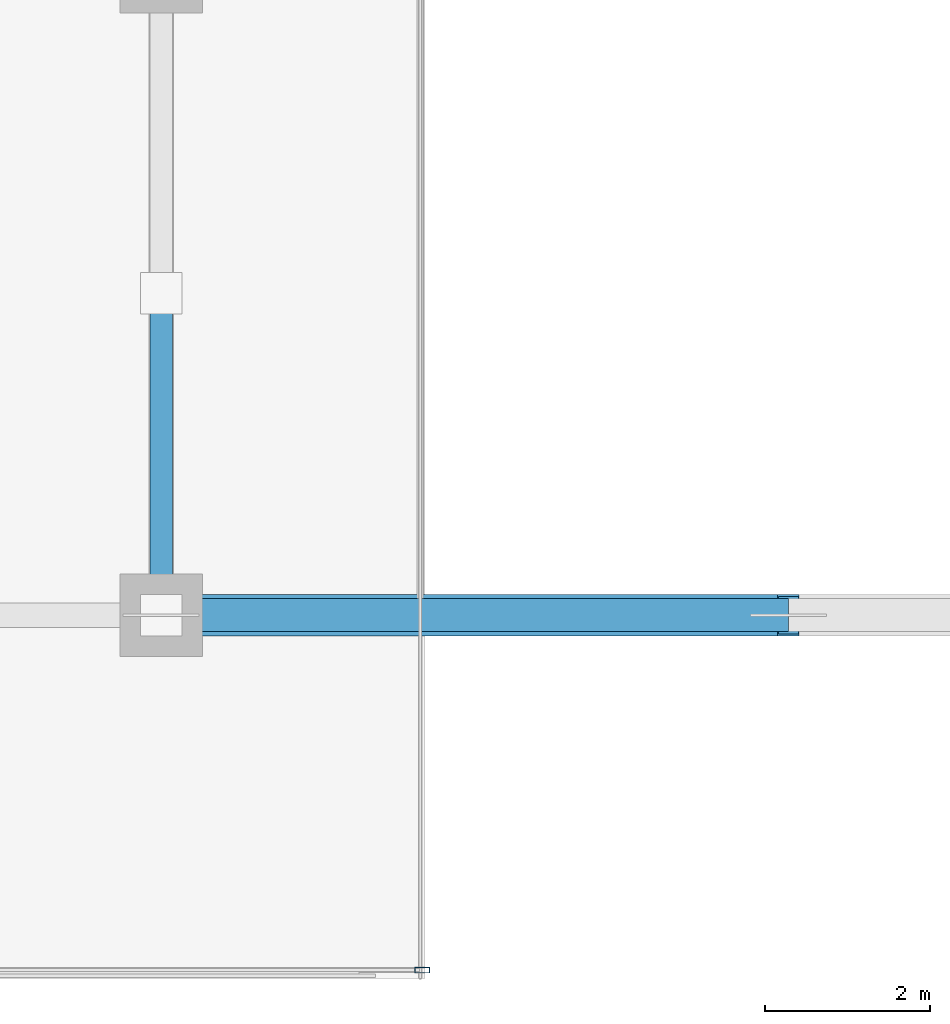
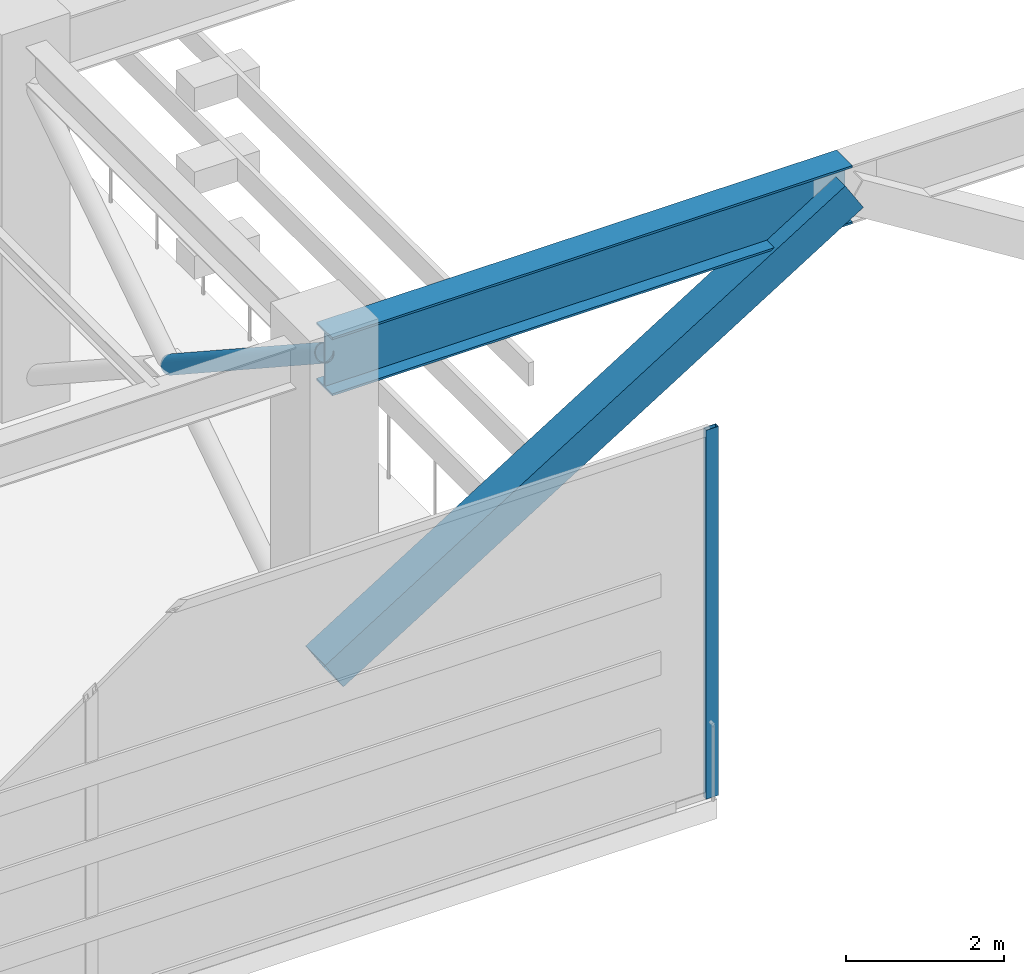
# One storey, part 4 of 30: 3 members, 1 beam, 1 element without a shape of its own.
"""IFC4 building model written with IfcOpenShell, lengths in metres."""

from ifc_helpers import new_model, si_unit, direction, frame, origin, origin_2d, place, context, subcontext, project, spatial, hollow_rectangle, hollow_circle, i_section, extrude, source, transform, mapped, material, layer, layer_set, material_profile, profile_set, type_object, type_shapes, element, aggregate, save


model = new_model("IFC4")

# Units and contexts
model_context = context("Model", 3, precision=1e-05, world=origin(), true_north=direction((0.0, 1.0)))
body_context = subcontext(model_context, "Body", "Model", "MODEL_VIEW")
ifc_project = project(units=[si_unit("LENGTHUNIT", "METRE"), si_unit("AREAUNIT", "SQUARE_METRE"), si_unit("VOLUMEUNIT", "CUBIC_METRE"), si_unit("PLANEANGLEUNIT", "RADIAN"), si_unit("MASSUNIT", "GRAM", prefix="KILO")], contexts=[model_context])

# Site, building, storey
site_placement = place(None, origin())
site = spatial("IfcSite", under=ifc_project, at=site_placement, CompositionType="ELEMENT")
building_placement = place(site_placement, origin())
building = spatial("IfcBuilding", under=site, at=building_placement, Name="Haelvirn Gate Laboratories", CompositionType="ELEMENT")
storey_placement = place(building_placement, frame((0.0, 0.0, 291.60009765625)))
storey = spatial("IfcBuildingStorey", under=building, at=storey_placement, Name="L70", CompositionType="ELEMENT", Elevation=291.60009765625)

# Beam
ifc_material_1 = material(Name="Steel SM420", Category="steel")
ifc_material_profile_1 = material_profile(ifc_material_1, i_section(OverallWidth=0.39990234375, OverallDepth=0.89990234375, WebThickness=0.01904296875, FlangeThickness=0.031982421875, at=origin_2d()), Name="H-900x400x19x32")
ifc_profile_set_1 = profile_set([ifc_material_profile_1], Name="Steel SM420")
beam_type = type_object("IfcBeamType", Name="BM-TG-900", PredefinedType="BEAM", material=ifc_profile_set_1)
shared_shape_1 = source(origin(), body_context, "Body", "SweptSolid", [
    extrude(i_section(OverallWidth=0.39990234375, OverallDepth=0.89990234375, WebThickness=0.01904296875, FlangeThickness=0.031982421875, at=origin_2d()), origin(), (0.0, 0.0, 1.0), 7.60009765625),
])
type_shapes(beam_type, [shared_shape_1])
beam_placement = place(storey_placement, frame((22.199951171875, 7.0, 5.25), z_axis=(1.0, 0.0, 0.0), x_axis=(0.0, 1.0, 0.0)))
element("IfcBeam", 1, at=beam_placement, inside=storey, type_object=beam_type, Name="L71 Arch Bridge Bottom Tie Chord Y7.0-1", PredefinedType="BEAM", context=body_context, shape_type="MappedRepresentation", body=[
    mapped(shared_shape_1, transform((0.0, 0.0, 0.0), scale=1.0)),
])

# Members
ifc_material_2 = material(Name="Steel SM355", Category="steel")
ifc_material_profile_2 = material_profile(ifc_material_2, hollow_circle(Radius=0.136474609375, WallThickness=0.011962890625, at=origin_2d()), Name="CHS-273x12")
ifc_profile_set_2 = profile_set([ifc_material_profile_2], Name="Steel SM355")
member_type_1 = type_object("IfcMemberType", Name="MEM-TURB-BRACE", PredefinedType="STRUT", material=ifc_profile_set_2)
shared_shape_2 = source(origin(), body_context, "Body", "SweptSolid", [
    extrude(hollow_circle(Radius=0.136474609375, WallThickness=0.011962890625, at=origin_2d()), origin(), (0.0, 0.0, 1.0), 4.65966796875),
])
type_shapes(member_type_1, [shared_shape_2])
member_1_placement = place(storey_placement, frame((22.199951171875, 7.0, 5.349853515625), z_axis=(0.0, 0.836958537543, -0.547266303032), x_axis=(-1.0, 0.0, 0.0)))
element("IfcMember", 2, at=member_1_placement, inside=storey, type_object=member_type_1, Name="L70 Wind-Turbine Portal Split X-Brace W-S Lower", PredefinedType="STRUT", context=body_context, shape_type="MappedRepresentation", body=[
    mapped(shared_shape_2, transform((0.0, 0.0, 0.0), scale=1.0)),
])
ifc_material_profile_3 = material_profile(ifc_material_1, hollow_rectangle(XDim=0.5, YDim=0.5, WallThickness=0.02197265625, at=origin_2d()), Name="BOX-500x500x22")
ifc_profile_set_3 = profile_set([ifc_material_profile_3], Name="Steel SM420")
member_type_2 = type_object("IfcMemberType", Name="MEM-ARCH-WEB", PredefinedType="BRACE", material=ifc_profile_set_3)
shared_shape_3 = source(origin(), body_context, "Body", "SweptSolid", [
    extrude(hollow_rectangle(XDim=0.5, YDim=0.5, WallThickness=0.02197265625, at=origin_2d()), origin(), (0.0, 0.0, 1.0), 8.96240234375),
])
type_shapes(member_type_2, [shared_shape_3])
member_2_placement = place(storey_placement, frame((22.199951171875, 7.0, 0.5), z_axis=(0.848001364738, 0.0, 0.529994042799), x_axis=(0.0, 1.0, 0.0)))
element("IfcMember", 3, at=member_2_placement, inside=storey, type_object=member_type_2, Name="L70 Arch Bridge Sub-Truss Web Y7.0-1", PredefinedType="BRACE", context=body_context, shape_type="MappedRepresentation", body=[
    mapped(shared_shape_3, transform((0.0, 0.0, 0.0), scale=1.0)),
])

# Curtain wall, member
ifc_material_3 = material(Name="Anodised bronze unitised aluminium & triple low-E glass", Category="aluminium")
ifc_layer = layer(ifc_material_3, 0.176025390625, Name="CW-SYS-4")
ifc_layer_set = layer_set([ifc_layer], Name="Anodised bronze unitised aluminium & triple low-E glass")
curtain_wall_type = type_object("IfcCurtainWallType", Name="CW-SYS-4", PredefinedType="NOTDEFINED", material=ifc_layer_set)
curtain_wall_placement = place(storey_placement, origin())
curtain_wall = element("IfcCurtainWall", 4, at=curtain_wall_placement, inside=storey, type_object=curtain_wall_type, Name="L70 Unitised Curtain Wall CW-L70-P0-E00-1", PredefinedType="NOTDEFINED")
ifc_material_4 = material(Name="Extruded aluminium 6063-T6 (anodised bronze)", Category="aluminium")
ifc_material_profile_4 = material_profile(ifc_material_4, hollow_rectangle(XDim=0.070068359375, YDim=0.179931640625, WallThickness=0.0048828125, at=origin_2d()), Name="CWM-180x70x5")
ifc_profile_set_4 = profile_set([ifc_material_profile_4], Name="Extruded aluminium 6063-T6 (anodised bronze)")
member_type_3 = type_object("IfcMemberType", Name="CWM-T180", PredefinedType="MULLION", material=ifc_profile_set_4)
shared_shape_4 = source(origin(), body_context, "Body", "SweptSolid", [
    extrude(hollow_rectangle(XDim=0.070068359375, YDim=0.179931640625, WallThickness=0.0048828125, at=origin_2d()), origin(), (0.0, 0.0, 1.0), 5.699951171875),
])
type_shapes(member_type_3, [shared_shape_4])
member_3_placement = place(storey_placement, frame((25.364990234375, 2.699951171875, 0.0), z_axis=(0.0, 0.0, 1.0), x_axis=(0.0, 1.0, 0.0)))
member_3 = element("IfcMember", 5, at=member_3_placement, type_object=member_type_3, Name="CW4 mullion 3", PredefinedType="MULLION", context=body_context, shape_type="MappedRepresentation", body=[
    mapped(shared_shape_4, transform((0.0, 0.0, 0.0), scale=1.0)),
])
aggregate(curtain_wall, [member_3])

save(model, "model.ifc")
